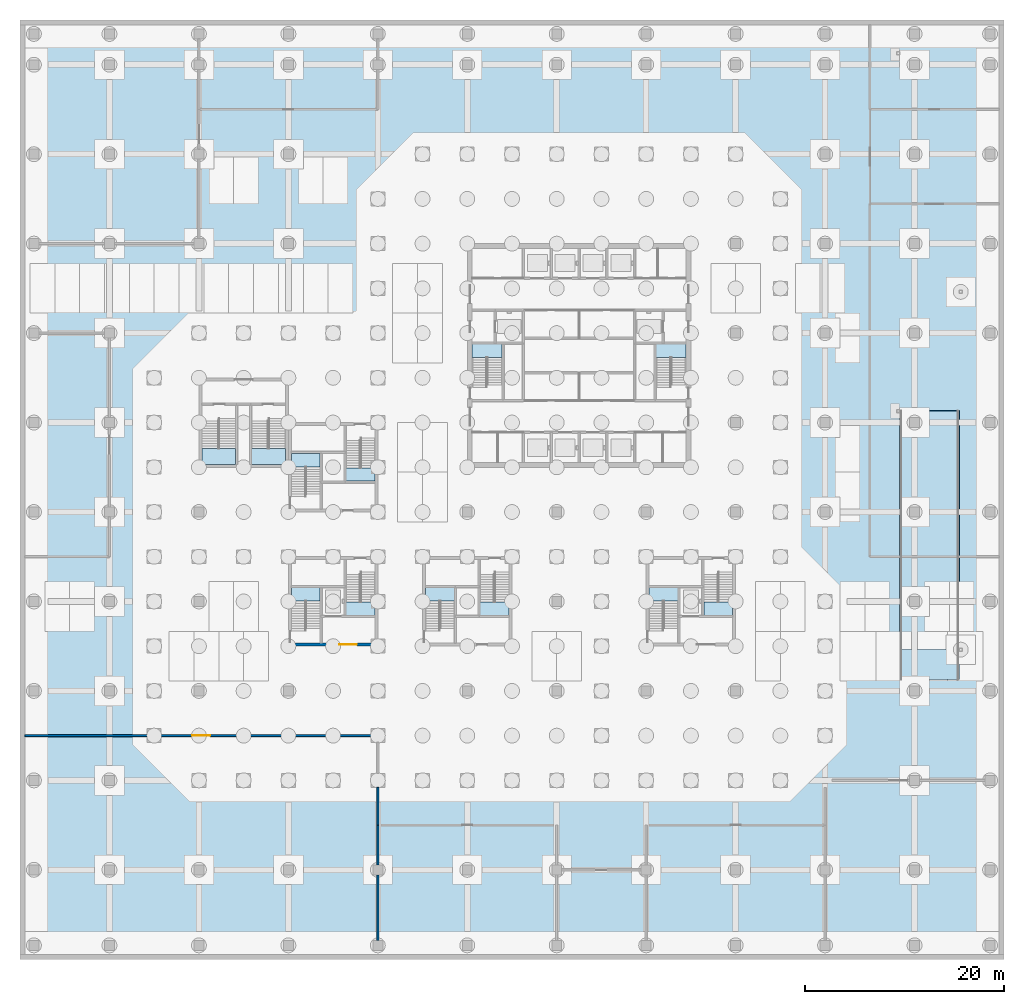
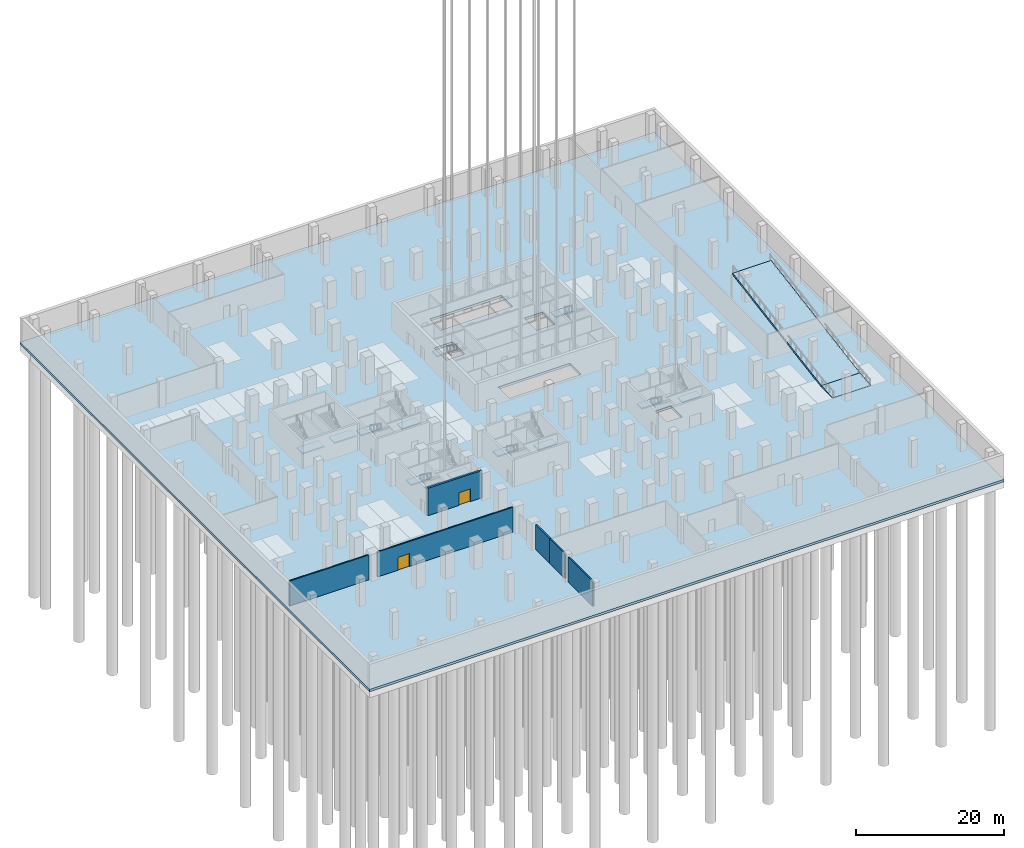
# One storey, part 9 of 37: 15 slabs, 6 walls, 2 doors, 2 openings, 12 elements without a shape of their own.
"""IFC4 building model written with IfcOpenShell, lengths in metres."""

from ifc_helpers import new_model, si_unit, direction, frame, frame_2d, origin, place, context, subcontext, project, spatial, polyline, rectangle, outline, extrude, material, layer, layer_set, type_object, element, fill, aggregate, save


model = new_model("IFC4")

# Units and contexts
model_context = context("Model", 3, precision=1e-05, world=origin(), true_north=direction((0.0, 1.0)))
body_context = subcontext(model_context, "Body", "Model", "MODEL_VIEW")
ifc_project = project(units=[si_unit("LENGTHUNIT", "METRE"), si_unit("AREAUNIT", "SQUARE_METRE"), si_unit("VOLUMEUNIT", "CUBIC_METRE"), si_unit("PLANEANGLEUNIT", "RADIAN"), si_unit("MASSUNIT", "GRAM", prefix="KILO")], contexts=[model_context])

# Site, building, storey
site_placement = place(None, origin())
site = spatial("IfcSite", under=ifc_project, at=site_placement, CompositionType="ELEMENT")
building_placement = place(site_placement, origin())
building = spatial("IfcBuilding", under=site, at=building_placement, Name="Quoin Convention Tower", CompositionType="ELEMENT")
storey_placement = place(building_placement, frame((0.0, 0.0, -9.0)))
storey = spatial("IfcBuildingStorey", under=building, at=storey_placement, Name="B2", CompositionType="ELEMENT", Elevation=-9.0)

# Slabs
ifc_material_1 = material(Name="Concrete C40", Category="concrete")
ifc_layer_1 = layer(ifc_material_1, 0.300048828125)
ifc_layer_set_1 = layer_set([ifc_layer_1], Name="Concrete C40")
slab_type_1 = type_object("IfcSlabType", Name="Car ramp slab", PredefinedType="USERDEFINED", material=ifc_layer_set_1)
slab_1_placement = place(storey_placement, frame((88.5, 55.14990234375, 4.25), z_axis=(0.0, -0.164398987305, 0.986393923832), x_axis=(1.0, 0.0, 0.0)))
element("IfcSlab", 1, at=slab_1_placement, inside=storey, type_object=slab_type_1, Name="CAR RAMP 2MAIN", ObjectType="VEHICLE RAMP SLAB", PredefinedType="USERDEFINED", context=body_context, shape_type="SweptSolid", body=[
    extrude(outline(polyline([(0.0, 0.0), (6.0, 0.0), (6.0, -24.33105012119288), (0.0, -24.33105012119288), (0.0, 0.0)])), origin(), (0.0, 0.0, -1.0), 0.300048828125),
])
slab_2_placement = place(storey_placement, frame((88.5, 31.14990234375, 0.25), z_axis=(0.0, -0.083045479854, 0.996545758245), x_axis=(1.0, 0.0, 0.0)))
element("IfcSlab", 2, at=slab_2_placement, inside=storey, type_object=slab_type_1, Name="CAR RAMP 2FOOT", ObjectType="VEHICLE RAMP SLAB", PredefinedType="USERDEFINED", context=body_context, shape_type="SweptSolid", body=[
    extrude(outline(polyline([(0.0, 0.0), (6.0, 0.0), (6.0, -3.010398644698074), (0.0, -3.010398644698074), (0.0, 0.0)])), origin(), (0.0, 0.0, -1.0), 0.300048828125),
])
ifc_material_2 = material(Name="Concrete C65", Category="concrete")
ifc_layer_2 = layer(ifc_material_2, 0.39990234375)
ifc_layer_set_2 = layer_set([ifc_layer_2], Name="Concrete C65")
slab_type_2 = type_object("IfcSlabType", Name="RC BASE SLAB 400 C65", PredefinedType="BASESLAB", material=ifc_layer_set_2)
slab_3_placement = place(storey_placement, frame((0.0, 0.0, -0.39990234375)))
element("IfcSlab", 3, at=slab_3_placement, inside=storey, type_object=slab_type_2, Name="slb-B2", PredefinedType="BASESLAB", context=body_context, shape_type="SweptSolid", body=[
    extrude(outline(polyline([(0.0, 0.0), (0.0, 94.5), (99.0, 94.5), (99.0, 0.0), (0.0, 0.0)]), holes=[polyline([(30.300048828125, 37.5), (30.300048828125, 34.5), (32.699951171875, 34.5), (32.699951171875, 37.5), (30.300048828125, 37.5)]), polyline([(53.449951171875, 53.0), (50.64990234375, 53.0), (50.64990234375, 50.0), (53.449951171875, 50.0), (56.25, 50.0), (59.050048828125, 50.0), (61.85009765625, 50.0), (61.85009765625, 53.0), (59.050048828125, 53.0), (56.25, 53.0), (53.449951171875, 53.0)]), polyline([(47.800048828125, 65.300048828125), (47.800048828125, 62.0), (50.64990234375, 62.0), (50.64990234375, 65.300048828125), (47.800048828125, 65.300048828125)]), polyline([(53.449951171875, 71.5), (50.64990234375, 71.5), (50.64990234375, 68.5), (53.449951171875, 68.5), (56.25, 68.5), (59.050048828125, 68.5), (61.85009765625, 68.5), (61.85009765625, 71.5), (59.050048828125, 71.5), (56.25, 71.5), (53.449951171875, 71.5)]), polyline([(66.300048828125, 37.5), (66.300048828125, 34.5), (68.699951171875, 34.5), (68.699951171875, 37.5), (66.300048828125, 37.5)]), polyline([(61.85009765625, 65.300048828125), (61.85009765625, 62.0), (64.699951171875, 62.0), (64.699951171875, 65.300048828125), (61.85009765625, 65.300048828125)])]), origin(), (0.0, 0.0, 1.0), 0.39990234375),
])

# Stair, slab
stair_type_1 = type_object("IfcStairType", Name="Exit stair two-flight 1350", PredefinedType="HALF_TURN_STAIR", material=ifc_material_1)
stair_1_placement = place(storey_placement, origin())
stair_1 = element("IfcStair", 4, at=stair_1_placement, inside=storey, type_object=stair_type_1, Name="SD1 B2", PredefinedType="HALF_TURN_STAIR")
ifc_layer_3 = layer(ifc_material_1, 0.199951171875)
ifc_layer_set_3 = layer_set([ifc_layer_3], Name="Concrete C40")
slab_type_3 = type_object("IfcSlabType", Name="Stair landing 200", PredefinedType="LANDING", material=ifc_layer_set_3)
slab_4_placement = place(storey_placement, frame((0.0, 0.0, 2.139892578125)))
slab_4 = element("IfcSlab", 5, at=slab_4_placement, type_object=slab_type_3, Name="ST1 landing 1", PredefinedType="LANDING", context=body_context, shape_type="SweptSolid", body=[
    extrude(outline(polyline([(45.5, 60.550048828125), (48.5, 60.550048828125), (48.5, 61.89990234375), (45.5, 61.89990234375), (45.5, 60.550048828125)])), origin(), (0.0, 0.0, 1.0), 0.2001953125),
])
aggregate(stair_1, [slab_4])

stair_2_placement = place(storey_placement, origin())
stair_2 = element("IfcStair", 6, at=stair_2_placement, inside=storey, type_object=stair_type_1, Name="SD2 B2", PredefinedType="HALF_TURN_STAIR")
slab_5_placement = place(storey_placement, frame((0.0, 0.0, 2.139892578125)))
slab_5 = element("IfcSlab", 7, at=slab_5_placement, type_object=slab_type_3, Name="ST2 landing 1", PredefinedType="LANDING", context=body_context, shape_type="SweptSolid", body=[
    extrude(outline(polyline([(64.0, 60.550048828125), (67.0, 60.550048828125), (67.0, 61.89990234375), (64.0, 61.89990234375), (64.0, 60.550048828125)])), origin(), (0.0, 0.0, 1.0), 0.2001953125),
])
aggregate(stair_2, [slab_5])

stair_3_placement = place(storey_placement, origin())
stair_3 = element("IfcStair", 8, at=stair_3_placement, inside=storey, type_object=stair_type_1, Name="SD3 B2", PredefinedType="HALF_TURN_STAIR")
slab_6_placement = place(storey_placement, frame((0.0, 0.0, 2.139892578125)))
slab_6 = element("IfcSlab", 9, at=slab_6_placement, type_object=slab_type_3, Name="ST3 landing 1", PredefinedType="LANDING", context=body_context, shape_type="SweptSolid", body=[
    extrude(outline(polyline([(27.300048828125, 49.550048828125), (30.199951171875, 49.550048828125), (30.199951171875, 50.89990234375), (27.300048828125, 50.89990234375), (27.300048828125, 49.550048828125)])), origin(), (0.0, 0.0, 1.0), 0.2001953125),
])
aggregate(stair_3, [slab_6])

stair_4_placement = place(storey_placement, origin())
stair_4 = element("IfcStair", 10, at=stair_4_placement, inside=storey, type_object=stair_type_1, Name="SD4 B2", PredefinedType="HALF_TURN_STAIR")
slab_7_placement = place(storey_placement, frame((0.0, 0.0, 2.139892578125)))
slab_7 = element("IfcSlab", 11, at=slab_7_placement, type_object=slab_type_3, Name="ST4 landing 1", PredefinedType="LANDING", context=body_context, shape_type="SweptSolid", body=[
    extrude(outline(polyline([(35.699951171875, 49.449951171875), (32.800048828125, 49.449951171875), (32.800048828125, 48.10009765625), (35.699951171875, 48.10009765625), (35.699951171875, 49.449951171875)])), origin(), (0.0, 0.0, 1.0), 0.2001953125),
])
aggregate(stair_4, [slab_7])

stair_5_placement = place(storey_placement, origin())
stair_5 = element("IfcStair", 12, at=stair_5_placement, inside=storey, type_object=stair_type_1, Name="SD5 B2", PredefinedType="HALF_TURN_STAIR")
slab_8_placement = place(storey_placement, frame((0.0, 0.0, 2.139892578125)))
slab_8 = element("IfcSlab", 13, at=slab_8_placement, type_object=slab_type_3, Name="ST5 landing 1", PredefinedType="LANDING", context=body_context, shape_type="SweptSolid", body=[
    extrude(outline(polyline([(40.800048828125, 36.050048828125), (43.699951171875, 36.050048828125), (43.699951171875, 37.39990234375), (40.800048828125, 37.39990234375), (40.800048828125, 36.050048828125)])), origin(), (0.0, 0.0, 1.0), 0.2001953125),
])
aggregate(stair_5, [slab_8])

stair_6_placement = place(storey_placement, origin())
stair_6 = element("IfcStair", 14, at=stair_6_placement, inside=storey, type_object=stair_type_1, Name="SD6 B2", PredefinedType="HALF_TURN_STAIR")
slab_9_placement = place(storey_placement, frame((0.0, 0.0, 2.139892578125)))
slab_9 = element("IfcSlab", 15, at=slab_9_placement, type_object=slab_type_3, Name="ST6 landing 1", PredefinedType="LANDING", context=body_context, shape_type="SweptSolid", body=[
    extrude(outline(polyline([(49.199951171875, 35.949951171875), (46.300048828125, 35.949951171875), (46.300048828125, 34.60009765625), (49.199951171875, 34.60009765625), (49.199951171875, 35.949951171875)])), origin(), (0.0, 0.0, 1.0), 0.2001953125),
])
aggregate(stair_6, [slab_9])

stair_7_placement = place(storey_placement, origin())
stair_7 = element("IfcStair", 16, at=stair_7_placement, inside=storey, type_object=stair_type_1, Name="SD7 B2", PredefinedType="HALF_TURN_STAIR")
slab_10_placement = place(storey_placement, frame((0.0, 0.0, 2.139892578125)))
slab_10 = element("IfcSlab", 17, at=slab_10_placement, type_object=slab_type_3, Name="ST7 landing 1", PredefinedType="LANDING", context=body_context, shape_type="SweptSolid", body=[
    extrude(outline(polyline([(27.300048828125, 36.050048828125), (30.199951171875, 36.050048828125), (30.199951171875, 37.39990234375), (27.300048828125, 37.39990234375), (27.300048828125, 36.050048828125)])), origin(), (0.0, 0.0, 1.0), 0.2001953125),
])
aggregate(stair_7, [slab_10])

stair_8_placement = place(storey_placement, origin())
stair_8 = element("IfcStair", 18, at=stair_8_placement, inside=storey, type_object=stair_type_1, Name="SD8 B2", PredefinedType="HALF_TURN_STAIR")
slab_11_placement = place(storey_placement, frame((0.0, 0.0, 2.139892578125)))
slab_11 = element("IfcSlab", 19, at=slab_11_placement, type_object=slab_type_3, Name="ST8 landing 1", PredefinedType="LANDING", context=body_context, shape_type="SweptSolid", body=[
    extrude(outline(polyline([(35.699951171875, 35.949951171875), (32.800048828125, 35.949951171875), (32.800048828125, 34.60009765625), (35.699951171875, 34.60009765625), (35.699951171875, 35.949951171875)])), origin(), (0.0, 0.0, 1.0), 0.2001953125),
])
aggregate(stair_8, [slab_11])

stair_9_placement = place(storey_placement, origin())
stair_9 = element("IfcStair", 20, at=stair_9_placement, inside=storey, type_object=stair_type_1, Name="SD9 B2", PredefinedType="HALF_TURN_STAIR")
slab_12_placement = place(storey_placement, frame((0.0, 0.0, 2.139892578125)))
slab_12 = element("IfcSlab", 21, at=slab_12_placement, type_object=slab_type_3, Name="ST9 landing 1", PredefinedType="LANDING", context=body_context, shape_type="SweptSolid", body=[
    extrude(outline(polyline([(63.300048828125, 36.050048828125), (66.199951171875, 36.050048828125), (66.199951171875, 37.39990234375), (63.300048828125, 37.39990234375), (63.300048828125, 36.050048828125)])), origin(), (0.0, 0.0, 1.0), 0.2001953125),
])
aggregate(stair_9, [slab_12])

stair_10_placement = place(storey_placement, origin())
stair_10 = element("IfcStair", 22, at=stair_10_placement, inside=storey, type_object=stair_type_1, Name="SD10 B2", PredefinedType="HALF_TURN_STAIR")
slab_13_placement = place(storey_placement, frame((0.0, 0.0, 2.139892578125)))
slab_13 = element("IfcSlab", 23, at=slab_13_placement, type_object=slab_type_3, Name="ST10 landing 1", PredefinedType="LANDING", context=body_context, shape_type="SweptSolid", body=[
    extrude(outline(polyline([(71.699951171875, 35.949951171875), (68.800048828125, 35.949951171875), (68.800048828125, 34.60009765625), (71.699951171875, 34.60009765625), (71.699951171875, 35.949951171875)])), origin(), (0.0, 0.0, 1.0), 0.2001953125),
])
aggregate(stair_10, [slab_13])

stair_type_2 = type_object("IfcStairType", Name="Exit stair two-flight 1600", PredefinedType="HALF_TURN_STAIR", material=ifc_material_1)
stair_11_placement = place(storey_placement, origin())
stair_11 = element("IfcStair", 24, at=stair_11_placement, inside=storey, type_object=stair_type_2, Name="SD11 B2", PredefinedType="HALF_TURN_STAIR")
slab_14_placement = place(storey_placement, frame((0.0, 0.0, 2.139892578125)))
slab_14 = element("IfcSlab", 25, at=slab_14_placement, type_object=slab_type_3, Name="ST11 landing 1", PredefinedType="LANDING", context=body_context, shape_type="SweptSolid", body=[
    extrude(outline(polyline([(21.699951171875, 51.39990234375), (18.300048828125, 51.39990234375), (18.300048828125, 49.800048828125), (21.699951171875, 49.800048828125), (21.699951171875, 51.39990234375)])), origin(), (0.0, 0.0, 1.0), 0.2001953125),
])
aggregate(stair_11, [slab_14])

stair_12_placement = place(storey_placement, origin())
stair_12 = element("IfcStair", 26, at=stair_12_placement, inside=storey, type_object=stair_type_2, Name="SD12 B2", PredefinedType="HALF_TURN_STAIR")
slab_15_placement = place(storey_placement, frame((0.0, 0.0, 2.139892578125)))
slab_15 = element("IfcSlab", 27, at=slab_15_placement, type_object=slab_type_3, Name="ST12 landing 1", PredefinedType="LANDING", context=body_context, shape_type="SweptSolid", body=[
    extrude(outline(polyline([(26.699951171875, 51.39990234375), (23.300048828125, 51.39990234375), (23.300048828125, 49.800048828125), (26.699951171875, 49.800048828125), (26.699951171875, 51.39990234375)])), origin(), (0.0, 0.0, 1.0), 0.2001953125),
])
aggregate(stair_12, [slab_15])

# Walls
ifc_material_3 = material(Name="Plasterboard")
ifc_layer_4 = layer(ifc_material_3, 0.012451171875, Name="Finish")
ifc_material_4 = material(Name="Steel stud framing", Category="steel")
ifc_layer_5 = layer(ifc_material_4, 0.175048828125, Name="Structure")
ifc_layer_6 = layer(ifc_material_3, 0.012451171875, Name="Finish")
ifc_layer_set_4 = layer_set([ifc_layer_4, ifc_layer_5, ifc_layer_6], Name="Steel stud framing")
wall_type_1 = type_object("IfcWallType", Name="Plant room wall 200", PredefinedType="PARTITIONING", material=ifc_layer_set_4)
wall_1_placement = place(storey_placement, frame((36.0, 1.89990234375, 0.0), z_axis=(0.0, 0.0, 1.0), x_axis=(0.0, 1.0, 0.0)))
element("IfcWall", 28, at=wall_1_placement, inside=storey, type_object=wall_type_1, Name="pw-B2-001", PredefinedType="PARTITIONING", context=body_context, shape_type="SweptSolid", body=[
    extrude(rectangle(XDim=6.60009765625, YDim=0.199951171875, at=frame_2d((3.300048828125, 0.0))), origin(), (0.0, 0.0, 1.0), 4.10009765625),
])
wall_2_placement = place(storey_placement, frame((36.0, 9.5, 0.0), z_axis=(0.0, 0.0, 1.0), x_axis=(0.0, 1.0, 0.0)))
element("IfcWall", 29, at=wall_2_placement, inside=storey, type_object=wall_type_1, Name="pw-B2-002", PredefinedType="PARTITIONING", context=body_context, shape_type="SweptSolid", body=[
    extrude(rectangle(XDim=4.0, YDim=0.199951171875, at=frame_2d((2.0, 0.0))), origin(), (0.0, 0.0, 1.0), 4.10009765625),
])
wall_3_placement = place(storey_placement, frame((36.0, 13.5, 0.0), z_axis=(0.0, 0.0, 1.0), x_axis=(0.0, 1.0, 0.0)))
element("IfcWall", 30, at=wall_3_placement, inside=storey, type_object=wall_type_1, Name="pw-B2-011", PredefinedType="PARTITIONING", context=body_context, shape_type="SweptSolid", body=[
    extrude(rectangle(XDim=3.800048828125, YDim=0.199951171875, at=frame_2d((1.89990234375, 0.0))), origin(), (0.0, 0.0, 1.0), 4.10009765625),
])
wall_4_placement = place(storey_placement, frame((0.5, 22.5, 0.0), z_axis=(0.0, 0.0, 1.0), x_axis=(1.0, 0.0, 0.0)))
element("IfcWall", 31, at=wall_4_placement, inside=storey, type_object=wall_type_1, Name="pw-B2-017", PredefinedType="PARTITIONING", context=body_context, shape_type="SweptSolid", body=[
    extrude(rectangle(XDim=12.300048828125, YDim=0.199951171875, at=frame_2d((6.14990234375, 0.0))), origin(), (0.0, 0.0, 1.0), 4.10009765625),
])

# Wall, opening, door
wall_5_placement = place(storey_placement, frame((14.199951171875, 22.5, 0.0), z_axis=(0.0, 0.0, 1.0), x_axis=(1.0, 0.0, 0.0)))
wall_5 = element("IfcWall", 32, at=wall_5_placement, inside=storey, type_object=wall_type_1, Name="pw-B2-018", PredefinedType="PARTITIONING", context=body_context, shape_type="SweptSolid", body=[
    extrude(rectangle(XDim=21.10009765625, YDim=0.199951171875, at=frame_2d((10.550048828125, 0.0))), origin(), (0.0, 0.0, 1.0), 4.10009765625),
])
opening_1_placement = place(wall_5_placement, frame((3.14990234375, 0.0, 0.0)))
opening_1 = element("IfcOpeningElement", 33, at=opening_1_placement, cuts=wall_5, Name="Opening DPDB2-05", PredefinedType="OPENING", context=body_context, shape_type="SweptSolid", body=[
    extrude(rectangle(XDim=1.800048828125, YDim=2.10009765625, at=frame_2d((0.89990234375, 1.050048828125))), frame((0.0, 0.10986328125, 0.0), z_axis=(0.0, -1.0, 0.0), x_axis=(1.0, 0.0, 0.0)), (0.0, 0.0, 1.0), 0.219970703125),
])
ifc_material_5 = material(Name="Steel door leaf", Category="steel")
door_type_1 = type_object("IfcDoorType", Name="Plant door pair 1800", OperationType="DOUBLE_DOOR_SINGLE_SWING", PredefinedType="DOOR", material=ifc_material_5)
door_1_placement = place(opening_1_placement, origin())
door_1 = element("IfcDoor", 34, at=door_1_placement, inside=storey, type_object=door_type_1, Name="dr-B2-001", OperationType="DOUBLE_DOOR_SINGLE_SWING", OverallHeight=2.10009765625, OverallWidth=1.800048828125, PredefinedType="DOOR", context=body_context, shape_type="SweptSolid", body=[
    extrude(rectangle(XDim=1.800048828125, YDim=2.10009765625, at=frame_2d((0.89990234375, 1.050048828125))), frame((0.0, 0.02490234375, 0.0), z_axis=(0.0, -1.0, 0.0), x_axis=(1.0, 0.0, 0.0)), (0.0, 0.0, 1.0), 0.050048828125),
])
fill(opening_1, door_1)

ifc_material_6 = material(Name="Concrete C100 (100 MPa)", Category="concrete")
ifc_layer_7 = layer(ifc_material_6, 0.300048828125)
ifc_layer_set_5 = layer_set([ifc_layer_7], Name="Concrete C100 (100 MPa)")
wall_type_2 = type_object("IfcWallType", Name="RC CORE WALL 300 C100", PredefinedType="SHEAR", material=ifc_layer_set_5)
wall_6_placement = place(storey_placement, frame((27.300048828125, 31.64990234375, 0.0), z_axis=(0.0, 0.0, 1.0), x_axis=(1.0, 0.0, 0.0)))
wall_6 = element("IfcWall", 35, at=wall_6_placement, inside=storey, type_object=wall_type_2, Name="cwl-P4-B2-S", PredefinedType="SHEAR", context=body_context, shape_type="SweptSolid", body=[
    extrude(rectangle(XDim=8.39990234375, YDim=0.300048828125, at=frame_2d((4.199951171875, 0.0))), origin(), (0.0, 0.0, 1.0), 4.5),
])
opening_2_placement = place(wall_6_placement, frame((4.800048828125, 0.0, 0.0)))
opening_2 = element("IfcOpeningElement", 36, at=opening_2_placement, cuts=wall_6, Name="Opening DCV0-62", PredefinedType="OPENING", context=body_context, shape_type="SweptSolid", body=[
    extrude(rectangle(XDim=1.800048828125, YDim=2.10009765625, at=frame_2d((0.89990234375, 1.050048828125))), frame((0.0, 0.159912109375, 0.0), z_axis=(0.0, -1.0, 0.0), x_axis=(1.0, 0.0, 0.0)), (0.0, 0.0, 1.0), 0.320068359375),
])
door_type_2 = type_object("IfcDoorType", Name="Goods lobby door 1800 x 2100", OperationType="SINGLE_SWING_LEFT", PredefinedType="DOOR", material=ifc_material_5)
door_2_placement = place(opening_2_placement, frame((1.800048828125, 0.0, 0.0), z_axis=(0.0, 0.0, 1.0), x_axis=(-1.0, 0.0, 0.0)))
door_2 = element("IfcDoor", 37, at=door_2_placement, inside=storey, type_object=door_type_2, Name="cd-P4-B2-R2-S", OperationType="SINGLE_SWING_LEFT", OverallHeight=2.10009765625, OverallWidth=1.800048828125, PredefinedType="DOOR", context=body_context, shape_type="SweptSolid", body=[
    extrude(rectangle(XDim=1.800048828125, YDim=2.10009765625, at=frame_2d((0.89990234375, 1.050048828125))), frame((0.0, 0.02490234375, 0.0), z_axis=(0.0, -1.0, 0.0), x_axis=(1.0, 0.0, 0.0)), (0.0, 0.0, 1.0), 0.050048828125),
])
fill(opening_2, door_2)

save(model, "model.ifc")
